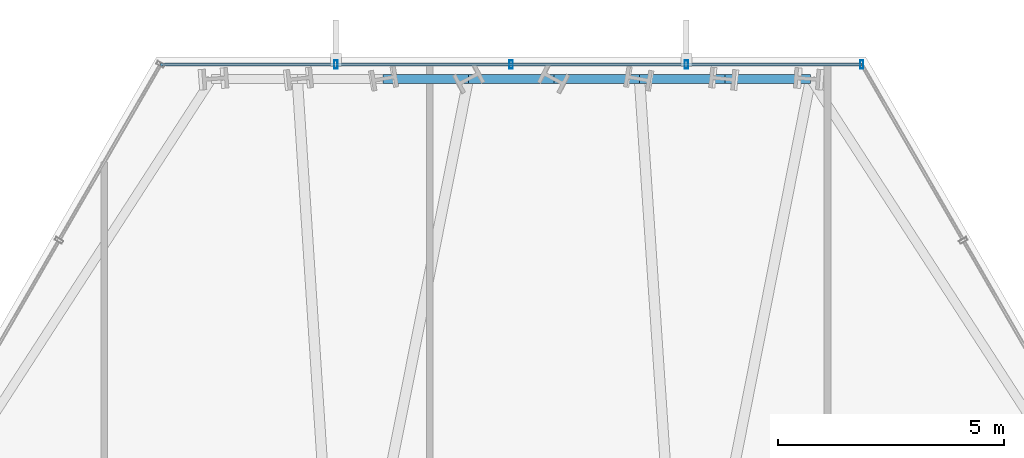
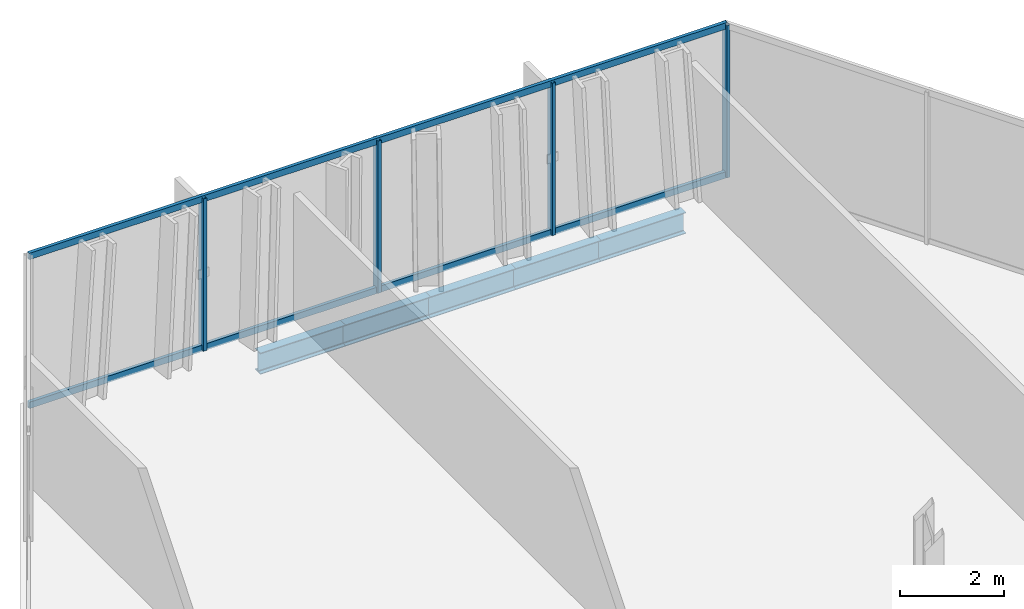
# One storey, part 23 of 32: 6 members, 5 beams, 1 element without a shape of its own.
"""IFC4 building model written with IfcOpenShell, lengths in metres."""

from ifc_helpers import new_model, si_unit, direction, frame, origin, origin_2d, place, context, subcontext, project, spatial, hollow_rectangle, i_section, extrude, material, layer, layer_set, material_profile, profile_set, type_object, element, aggregate, save


model = new_model("IFC4")

# Units and contexts
model_context = context("Model", 3, precision=1e-05, world=origin(), true_north=direction((0.0, 1.0)))
body_context = subcontext(model_context, "Body", "Model", "MODEL_VIEW")
ifc_project = project(units=[si_unit("LENGTHUNIT", "METRE"), si_unit("AREAUNIT", "SQUARE_METRE"), si_unit("VOLUMEUNIT", "CUBIC_METRE"), si_unit("PLANEANGLEUNIT", "RADIAN"), si_unit("MASSUNIT", "GRAM", prefix="KILO")], contexts=[model_context])

# Site, building, storey
site_placement = place(None, origin())
site = spatial("IfcSite", under=ifc_project, at=site_placement, CompositionType="ELEMENT")
building_placement = place(site_placement, origin())
building = spatial("IfcBuilding", under=site, at=building_placement, Name="Ndaravel Arena Tower", CompositionType="ELEMENT")
storey_placement = place(building_placement, frame((0.0, 0.0, 66.39990234375)))
storey = spatial("IfcBuildingStorey", under=building, at=storey_placement, Name="L14", CompositionType="ELEMENT", Elevation=66.39990234375)

# Beams
ifc_material_1 = material(Name="Steel S355", Category="steel")
ifc_material_profile_1 = material_profile(ifc_material_1, i_section(OverallWidth=0.199951171875, OverallDepth=0.5, WebThickness=0.01025390625, FlangeThickness=0.01611328125, FilletRadius=0.02099609375, at=origin_2d()), Name="IPE 500")
ifc_profile_set_1 = profile_set([ifc_material_profile_1], Name="Steel S355")
beam_type = type_object("IfcBeamType", Name="BM-SPAN-IPE500", PredefinedType="SPANDREL", material=ifc_profile_set_1)
for number, where, z_axis, x_axis, name in (
    (1, (48.625, 45.52783203125, -0.469970703125), (-1.0, 0.0, 0.0), (0.0, -1.0, 0.0), "L14 Perimeter Spandrel Beam SP-11"),
    (2, (46.732177734375, 45.52783203125, -0.469970703125), (-1.0, 0.0, 0.0), (0.0, -1.0, 0.0), "L14 Perimeter Spandrel Beam SP-12"),
):
    element("IfcBeam", number, at=place(storey_placement, frame(where, z_axis=z_axis, x_axis=x_axis)), inside=storey, type_object=beam_type, Name=name, PredefinedType="SPANDREL", context=body_context, shape_type="SweptSolid", body=[
        extrude(i_section(OverallWidth=0.199951171875, OverallDepth=0.5, WebThickness=0.01025390625, FlangeThickness=0.01611328125, FilletRadius=0.02099609375, at=origin_2d()), origin(), (0.0, 0.0, 1.0), 1.892822265625),
    ])
beam_1_placement = place(storey_placement, frame((44.83935546875, 45.52783203125, -0.469970703125), z_axis=(-1.0, 0.0, 0.0), x_axis=(0.0, -1.0, 0.0)))
element("IfcBeam", 3, at=beam_1_placement, inside=storey, type_object=beam_type, Name="L14 Perimeter Spandrel Beam SP-13", PredefinedType="SPANDREL", context=body_context, shape_type="SweptSolid", body=[
    extrude(i_section(OverallWidth=0.199951171875, OverallDepth=0.5, WebThickness=0.01025390625, FlangeThickness=0.01611328125, FilletRadius=0.02099609375, at=origin_2d()), origin(), (0.0, 0.0, 1.0), 1.89306640625),
])
beam_2_placement = place(storey_placement, frame((42.9462890625, 45.52783203125, -0.469970703125), z_axis=(-1.0, 0.0, 0.0), x_axis=(0.0, -1.0, 0.0)))
element("IfcBeam", 4, at=beam_2_placement, inside=storey, type_object=beam_type, Name="L14 Perimeter Spandrel Beam SP-14", PredefinedType="SPANDREL", context=body_context, shape_type="SweptSolid", body=[
    extrude(i_section(OverallWidth=0.199951171875, OverallDepth=0.5, WebThickness=0.01025390625, FlangeThickness=0.01611328125, FilletRadius=0.02099609375, at=origin_2d()), origin(), (0.0, 0.0, 1.0), 1.892578125),
])
beam_3_placement = place(storey_placement, frame((41.0537109375, 45.52783203125, -0.469970703125), z_axis=(-1.0, 0.0, 0.0), x_axis=(0.0, -1.0, 0.0)))
element("IfcBeam", 5, at=beam_3_placement, inside=storey, type_object=beam_type, Name="L14 Perimeter Spandrel Beam SP-15", PredefinedType="SPANDREL", context=body_context, shape_type="SweptSolid", body=[
    extrude(i_section(OverallWidth=0.199951171875, OverallDepth=0.5, WebThickness=0.01025390625, FlangeThickness=0.01611328125, FilletRadius=0.02099609375, at=origin_2d()), origin(), (0.0, 0.0, 1.0), 1.89306640625),
])

# Curtain wall, members
ifc_material_2 = material(Name="Aluminium", Category="aluminium")
ifc_layer = layer(ifc_material_2, 0.179931640625)
ifc_layer_set = layer_set([ifc_layer], Name="Aluminium")
curtain_wall_type = type_object("IfcCurtainWallType", Name="CW-SYS-01", PredefinedType="NOTDEFINED", material=ifc_layer_set)
curtain_wall_placement = place(storey_placement, origin())
curtain_wall = element("IfcCurtainWall", 6, at=curtain_wall_placement, inside=storey, type_object=curtain_wall_type, Name="L14 Faceted Crystal Curtain Wall CW-L14-E04", PredefinedType="NOTDEFINED")
ifc_material_3 = material(Name="Aluminium", Category="aluminium")
ifc_material_profile_2 = material_profile(ifc_material_3, hollow_rectangle(XDim=0.074951171875, YDim=0.179931640625, WallThickness=0.00390625, at=origin_2d()), Name="CW MULLION 75x180x4")
ifc_profile_set_2 = profile_set([ifc_material_profile_2], Name="Aluminium")
member_type_1 = type_object("IfcMemberType", Name="MEM-CW-MUL180", PredefinedType="MULLION", material=ifc_profile_set_2)
member_1_placement = place(storey_placement, frame((49.756103515625, 45.847900390625, 0.0), z_axis=(0.0, 0.0, 1.0), x_axis=(-1.0, 0.0, 0.0)))
member_1 = element("IfcMember", 7, at=member_1_placement, type_object=member_type_1, Name="CW-L14-E04 Mullion 00", PredefinedType="MULLION", context=body_context, shape_type="SweptSolid", body=[
    extrude(hollow_rectangle(XDim=0.074951171875, YDim=0.179931640625, WallThickness=0.00390625, at=origin_2d()), origin(), (0.0, 0.0, 1.0), 3.580078125),
])
member_2_placement = place(storey_placement, frame((45.878173828125, 45.847900390625, 0.0), z_axis=(0.0, 0.0, 1.0), x_axis=(-1.0, 0.0, 0.0)))
member_2 = element("IfcMember", 8, at=member_2_placement, type_object=member_type_1, Name="CW-L14-E04 Mullion 01", PredefinedType="MULLION", context=body_context, shape_type="SweptSolid", body=[
    extrude(hollow_rectangle(XDim=0.074951171875, YDim=0.179931640625, WallThickness=0.00390625, at=origin_2d()), origin(), (0.0, 0.0, 1.0), 3.580078125),
])
member_3_placement = place(storey_placement, frame((42.0, 45.847900390625, 0.0), z_axis=(0.0, 0.0, 1.0), x_axis=(-1.0, 0.0, 0.0)))
member_3 = element("IfcMember", 9, at=member_3_placement, type_object=member_type_1, Name="CW-L14-E04 Mullion 02", PredefinedType="MULLION", context=body_context, shape_type="SweptSolid", body=[
    extrude(hollow_rectangle(XDim=0.074951171875, YDim=0.179931640625, WallThickness=0.00390625, at=origin_2d()), origin(), (0.0, 0.0, 1.0), 3.580078125),
])
member_4_placement = place(storey_placement, frame((38.121826171875, 45.847900390625, 0.0), z_axis=(0.0, 0.0, 1.0), x_axis=(-1.0, 0.0, 0.0)))
member_4 = element("IfcMember", 10, at=member_4_placement, type_object=member_type_1, Name="CW-L14-E04 Mullion 03", PredefinedType="MULLION", context=body_context, shape_type="SweptSolid", body=[
    extrude(hollow_rectangle(XDim=0.074951171875, YDim=0.179931640625, WallThickness=0.00390625, at=origin_2d()), origin(), (0.0, 0.0, 1.0), 3.580078125),
])
ifc_material_4 = material(Name="Aluminium", Category="aluminium")
ifc_material_profile_3 = material_profile(ifc_material_4, hollow_rectangle(XDim=0.074951171875, YDim=0.14990234375, WallThickness=0.00390625, at=origin_2d()), Name="CW TRANSOM 75x150x4")
ifc_profile_set_3 = profile_set([ifc_material_profile_3], Name="Aluminium")
member_type_2 = type_object("IfcMemberType", Name="MEM-CW-TRN150", PredefinedType="USERDEFINED", material=ifc_profile_set_3)
member_5_placement = place(storey_placement, frame((49.756103515625, 45.847900390625, 0.0400390625), z_axis=(-1.0, 0.0, 0.0), x_axis=(0.0, -1.0, 0.0)))
member_5 = element("IfcMember", 11, at=member_5_placement, type_object=member_type_2, Name="CW-L14-E04 Transom 01", ObjectType="TRANSOM", PredefinedType="USERDEFINED", context=body_context, shape_type="SweptSolid", body=[
    extrude(hollow_rectangle(XDim=0.074951171875, YDim=0.14990234375, WallThickness=0.00390625, at=origin_2d()), origin(), (0.0, 0.0, 1.0), 15.51220703125),
])
member_6_placement = place(storey_placement, frame((49.756103515625, 45.847900390625, 3.5400390625), z_axis=(-1.0, 0.0, 0.0), x_axis=(0.0, -1.0, 0.0)))
member_6 = element("IfcMember", 12, at=member_6_placement, type_object=member_type_2, Name="CW-L14-E04 Transom 02", ObjectType="TRANSOM", PredefinedType="USERDEFINED", context=body_context, shape_type="SweptSolid", body=[
    extrude(hollow_rectangle(XDim=0.074951171875, YDim=0.14990234375, WallThickness=0.00390625, at=origin_2d()), origin(), (0.0, 0.0, 1.0), 15.51220703125),
])
aggregate(curtain_wall, [member_1, member_2, member_3, member_4, member_5, member_6])

save(model, "model.ifc")
